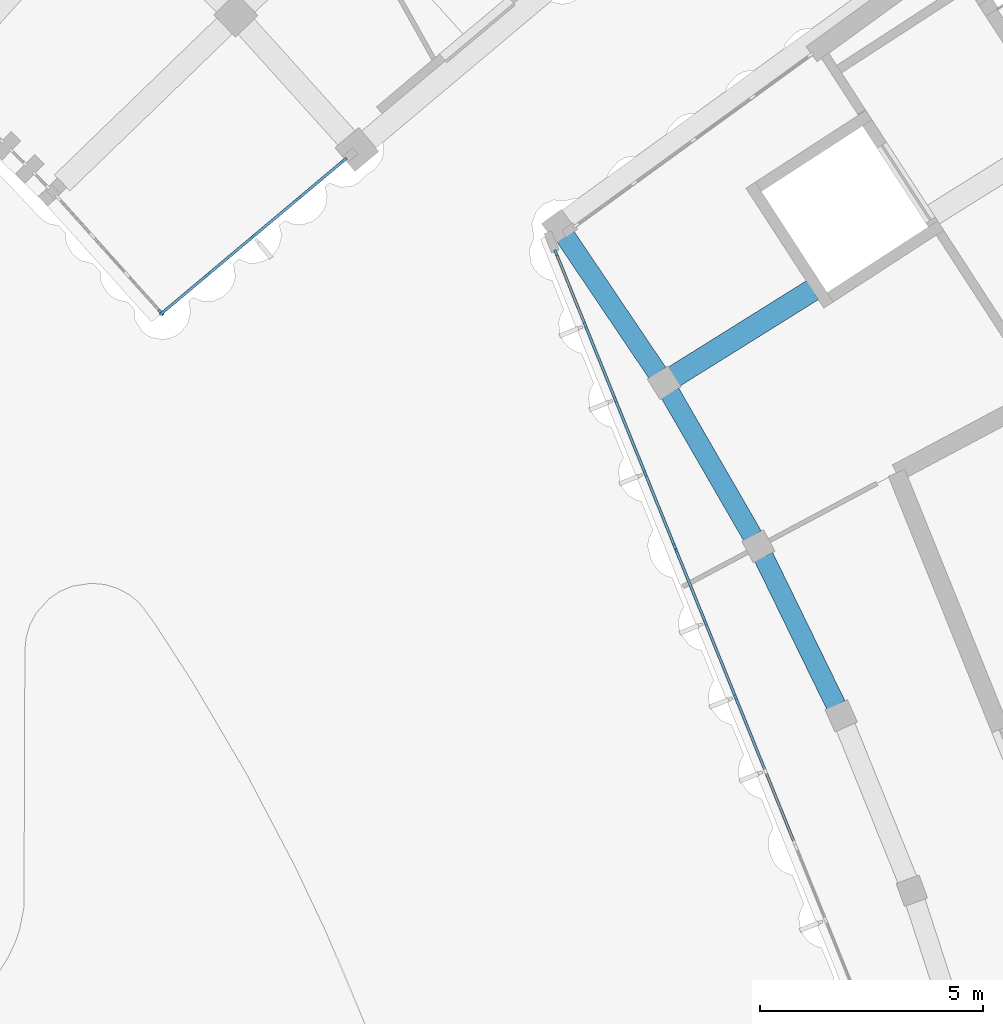
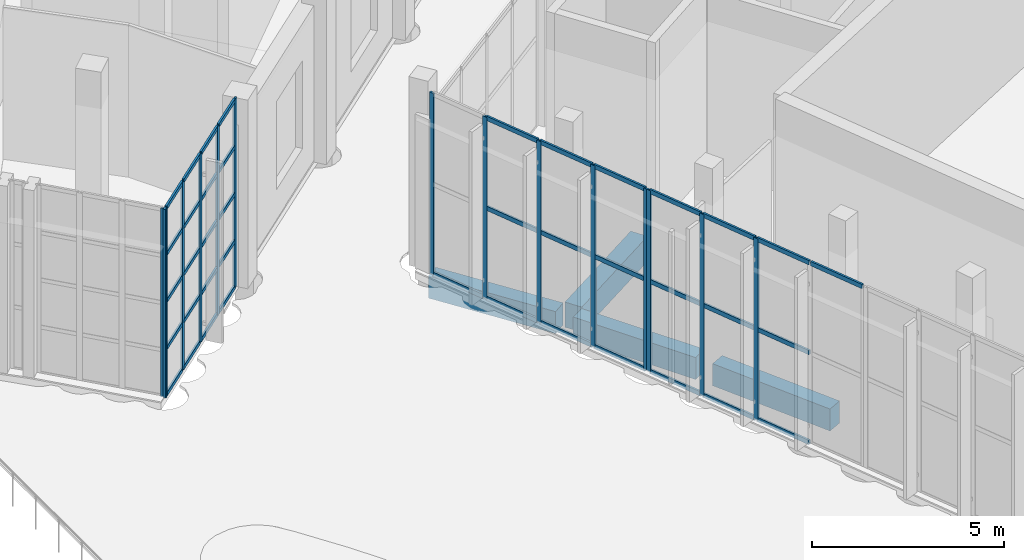
# One storey, part 50 of 155: 54 members, 4 beams, 4 elements without a shape of their own.
"""IFC4 building model written with IfcOpenShell, lengths in metres."""

from ifc_helpers import new_model, si_unit, direction, frame, origin, origin_2d, place, context, subcontext, project, spatial, rectangle, extrude, material, layer, layer_set, material_profile, profile_set, type_object, element, aggregate, save


model = new_model("IFC4")

# Units and contexts
model_context = context("Model", 3, precision=1e-05, world=origin(), true_north=direction((0.0, 1.0)))
body_context = subcontext(model_context, "Body", "Model", "MODEL_VIEW")
ifc_project = project(units=[si_unit("LENGTHUNIT", "METRE"), si_unit("AREAUNIT", "SQUARE_METRE"), si_unit("VOLUMEUNIT", "CUBIC_METRE"), si_unit("PLANEANGLEUNIT", "RADIAN"), si_unit("MASSUNIT", "GRAM", prefix="KILO")], contexts=[model_context])

# Site, building, storey
site_placement = place(None, origin())
site = spatial("IfcSite", under=ifc_project, at=site_placement, CompositionType="ELEMENT")
building_placement = place(site_placement, origin())
building = spatial("IfcBuilding", under=site, at=building_placement, Name="Lunette Opera House", CompositionType="ELEMENT")
storey_placement = place(building_placement, origin())
storey = spatial("IfcBuildingStorey", under=building, at=storey_placement, Name="L00", CompositionType="ELEMENT", Elevation=0.0)

# Curtain wall, members
ifc_material_1 = material(Name="Aluminium", Category="aluminium")
ifc_layer_1 = layer(ifc_material_1, 0.139892578125)
ifc_layer_set_1 = layer_set([ifc_layer_1], Name="Aluminium")
curtain_wall_type_1 = type_object("IfcCurtainWallType", Name="STUDIO CURTAIN WALL", PredefinedType="NOTDEFINED", material=ifc_layer_set_1)
curtain_wall_1_placement = place(storey_placement, origin())
curtain_wall_1 = element("IfcCurtainWall", 1, at=curtain_wall_1_placement, inside=storey, type_object=curtain_wall_type_1, Name="Studio Curtain Wall F01 L00", PredefinedType="NOTDEFINED")
ifc_material_2 = material(Name="Aluminium", Category="aluminium")
ifc_material_profile_1 = material_profile(ifc_material_2, rectangle(XDim=0.06005859375, YDim=0.139892578125, at=origin_2d()), Name="MULLION 60 X 140")
ifc_profile_set_1 = profile_set([ifc_material_profile_1], Name="Aluminium")
member_type_1 = type_object("IfcMemberType", Name="MULLION 60 X 140", PredefinedType="MULLION", material=ifc_profile_set_1)
member_1_placement = place(storey_placement, frame((144.88720703125, 34.97119140625, 0.0), z_axis=(0.0, 0.0, 1.0), x_axis=(0.927167994967, 0.37464584491, 0.0)))
member_1 = element("IfcMember", 2, at=member_1_placement, type_object=member_type_1, Name="SB-X2001 mullion 1", PredefinedType="MULLION", context=body_context, shape_type="SweptSolid", body=[
    extrude(rectangle(XDim=0.06005859375, YDim=0.139892578125, at=origin_2d()), origin(), (0.0, 0.0, 1.0), 5.780029296875),
])
member_2_placement = place(storey_placement, frame((145.545166015625, 33.3427734375, 0.0), z_axis=(0.0, 0.0, 1.0), x_axis=(0.927167994967, 0.37464584491, 0.0)))
member_2 = element("IfcMember", 3, at=member_2_placement, type_object=member_type_1, Name="SB-X2001 mullion 2", PredefinedType="MULLION", context=body_context, shape_type="SweptSolid", body=[
    extrude(rectangle(XDim=0.06005859375, YDim=0.139892578125, at=origin_2d()), origin(), (0.0, 0.0, 1.0), 5.780029296875),
])
member_3_placement = place(storey_placement, frame((146.214599609375, 31.6865234375, 0.0), z_axis=(0.0, 0.0, 1.0), x_axis=(0.927167994967, 0.37464584491, 0.0)))
member_3 = element("IfcMember", 4, at=member_3_placement, type_object=member_type_1, Name="SB-X2001 mullion 3", PredefinedType="MULLION", context=body_context, shape_type="SweptSolid", body=[
    extrude(rectangle(XDim=0.06005859375, YDim=0.139892578125, at=origin_2d()), origin(), (0.0, 0.0, 1.0), 5.780029296875),
])
member_4_placement = place(storey_placement, frame((146.8837890625, 30.0302734375, 0.0), z_axis=(0.0, 0.0, 1.0), x_axis=(0.927167994967, 0.37464584491, 0.0)))
member_4 = element("IfcMember", 5, at=member_4_placement, type_object=member_type_1, Name="SB-X2001 mullion 4", PredefinedType="MULLION", context=body_context, shape_type="SweptSolid", body=[
    extrude(rectangle(XDim=0.06005859375, YDim=0.139892578125, at=origin_2d()), origin(), (0.0, 0.0, 1.0), 5.780029296875),
])
member_5_placement = place(storey_placement, frame((147.541748046875, 28.40185546875, 0.0), z_axis=(0.0, 0.0, 1.0), x_axis=(0.927167994967, 0.37464584491, 0.0)))
member_5 = element("IfcMember", 6, at=member_5_placement, type_object=member_type_1, Name="SB-X2001 mullion 5", PredefinedType="MULLION", context=body_context, shape_type="SweptSolid", body=[
    extrude(rectangle(XDim=0.06005859375, YDim=0.139892578125, at=origin_2d()), origin(), (0.0, 0.0, 1.0), 5.780029296875),
])

curtain_wall_2_placement = place(storey_placement, origin())
curtain_wall_2 = element("IfcCurtainWall", 7, at=curtain_wall_2_placement, inside=storey, type_object=curtain_wall_type_1, Name="Studio Curtain Wall F02 L00", PredefinedType="NOTDEFINED")
member_6_placement = place(storey_placement, frame((147.5751953125, 28.318115234375, 0.0), z_axis=(0.0, 0.0, 1.0), x_axis=(0.927187634441, 0.374597237762, 0.0)))
member_6 = element("IfcMember", 8, at=member_6_placement, type_object=member_type_1, Name="SB-X2002 mullion 1", PredefinedType="MULLION", context=body_context, shape_type="SweptSolid", body=[
    extrude(rectangle(XDim=0.06005859375, YDim=0.139892578125, at=origin_2d()), origin(), (0.0, 0.0, 1.0), 5.780029296875),
])
member_7_placement = place(storey_placement, frame((148.233154296875, 26.689453125, 0.0), z_axis=(0.0, 0.0, 1.0), x_axis=(0.927187634441, 0.374597237762, 0.0)))
member_7 = element("IfcMember", 9, at=member_7_placement, type_object=member_type_1, Name="SB-X2002 mullion 2", PredefinedType="MULLION", context=body_context, shape_type="SweptSolid", body=[
    extrude(rectangle(XDim=0.06005859375, YDim=0.139892578125, at=origin_2d()), origin(), (0.0, 0.0, 1.0), 5.780029296875),
])
member_8_placement = place(storey_placement, frame((148.902587890625, 25.032958984375, 0.0), z_axis=(0.0, 0.0, 1.0), x_axis=(0.927187634441, 0.374597237762, 0.0)))
member_8 = element("IfcMember", 10, at=member_8_placement, type_object=member_type_1, Name="SB-X2002 mullion 3", PredefinedType="MULLION", context=body_context, shape_type="SweptSolid", body=[
    extrude(rectangle(XDim=0.06005859375, YDim=0.139892578125, at=origin_2d()), origin(), (0.0, 0.0, 1.0), 5.780029296875),
])

# Curtain wall, member
ifc_material_3 = material(Name="Aluminium", Category="aluminium")
ifc_layer_2 = layer(ifc_material_3, 0.159912109375)
ifc_layer_set_2 = layer_set([ifc_layer_2], Name="Aluminium")
curtain_wall_type_2 = type_object("IfcCurtainWallType", Name="CORNER CURTAIN WALL", PredefinedType="NOTDEFINED", material=ifc_layer_set_2)
curtain_wall_3_placement = place(storey_placement, origin())
curtain_wall_3 = element("IfcCurtainWall", 11, at=curtain_wall_3_placement, inside=storey, type_object=curtain_wall_type_2, Name="Corner Curtain Wall GC-E1 L00", PredefinedType="NOTDEFINED")
ifc_material_4 = material(Name="Aluminium", Category="aluminium")
ifc_material_profile_2 = material_profile(ifc_material_4, rectangle(XDim=0.06005859375, YDim=0.159912109375, at=origin_2d()), Name="MULLION 60 X 160")
ifc_profile_set_2 = profile_set([ifc_material_profile_2], Name="Aluminium")
member_type_2 = type_object("IfcMemberType", Name="MULLION 60 X 160", PredefinedType="MULLION", material=ifc_profile_set_2)
member_9_placement = place(storey_placement, frame((136.0439453125, 33.640380859375, 0.0), z_axis=(0.0, 0.0, 1.0), x_axis=(0.744216793887, 0.667938143615, 0.0)))
member_9 = element("IfcMember", 12, at=member_9_placement, type_object=member_type_2, Name="FC-X2171 mullion 4", PredefinedType="MULLION", context=body_context, shape_type="SweptSolid", body=[
    extrude(rectangle(XDim=0.06005859375, YDim=0.159912109375, at=origin_2d()), origin(), (0.0, 0.0, 1.0), 6.0),
])
aggregate(curtain_wall_3, [member_9])

# Curtain wall, members
curtain_wall_4_placement = place(storey_placement, origin())
curtain_wall_4 = element("IfcCurtainWall", 13, at=curtain_wall_4_placement, inside=storey, type_object=curtain_wall_type_2, Name="Corner Curtain Wall GC-E2 L00", PredefinedType="NOTDEFINED")
member_10_placement = place(storey_placement, frame((136.0869140625, 33.63720703125, 0.0), z_axis=(0.0, 0.0, 1.0), x_axis=(-0.64282816277, 0.766010413212, 0.0)))
member_10 = element("IfcMember", 14, at=member_10_placement, type_object=member_type_2, Name="FC-X2172 mullion 1", PredefinedType="MULLION", context=body_context, shape_type="SweptSolid", body=[
    extrude(rectangle(XDim=0.06005859375, YDim=0.159912109375, at=origin_2d()), origin(), (0.0, 0.0, 1.0), 6.0),
])
member_11_placement = place(storey_placement, frame((137.08837890625, 34.477783203125, 0.0), z_axis=(0.0, 0.0, 1.0), x_axis=(-0.64282816277, 0.766010413212, 0.0)))
member_11 = element("IfcMember", 15, at=member_11_placement, type_object=member_type_2, Name="FC-X2172 mullion 2", PredefinedType="MULLION", context=body_context, shape_type="SweptSolid", body=[
    extrude(rectangle(XDim=0.06005859375, YDim=0.159912109375, at=origin_2d()), origin(), (0.0, 0.0, 1.0), 6.0),
])
member_12_placement = place(storey_placement, frame((138.113037109375, 35.33740234375, 0.0), z_axis=(0.0, 0.0, 1.0), x_axis=(-0.64282816277, 0.766010413212, 0.0)))
member_12 = element("IfcMember", 16, at=member_12_placement, type_object=member_type_2, Name="FC-X2172 mullion 3", PredefinedType="MULLION", context=body_context, shape_type="SweptSolid", body=[
    extrude(rectangle(XDim=0.06005859375, YDim=0.159912109375, at=origin_2d()), origin(), (0.0, 0.0, 1.0), 6.0),
])
member_13_placement = place(storey_placement, frame((139.137451171875, 36.197265625, 0.0), z_axis=(0.0, 0.0, 1.0), x_axis=(-0.64282816277, 0.766010413212, 0.0)))
member_13 = element("IfcMember", 17, at=member_13_placement, type_object=member_type_2, Name="FC-X2172 mullion 4", PredefinedType="MULLION", context=body_context, shape_type="SweptSolid", body=[
    extrude(rectangle(XDim=0.06005859375, YDim=0.159912109375, at=origin_2d()), origin(), (0.0, 0.0, 1.0), 6.0),
])
member_14_placement = place(storey_placement, frame((140.138916015625, 37.03759765625, 0.0), z_axis=(0.0, 0.0, 1.0), x_axis=(-0.64282816277, 0.766010413212, 0.0)))
member_14 = element("IfcMember", 18, at=member_14_placement, type_object=member_type_2, Name="FC-X2172 mullion 5", PredefinedType="MULLION", context=body_context, shape_type="SweptSolid", body=[
    extrude(rectangle(XDim=0.06005859375, YDim=0.159912109375, at=origin_2d()), origin(), (0.0, 0.0, 1.0), 6.0),
])

# Beams
ifc_material_5 = material(Name="Concrete C35/45", Category="concrete")
ifc_material_profile_3 = material_profile(ifc_material_5, rectangle(XDim=0.449951171875, YDim=0.699951171875, at=origin_2d()), Name="RC BEAM 450X700")
ifc_profile_set_3 = profile_set([ifc_material_profile_3], Name="Concrete C35/45")
beam_type_1 = type_object("IfcBeamType", Name="RC BEAM 450X700", PredefinedType="BEAM", material=ifc_profile_set_3)
beam_1_placement = place(storey_placement, frame((145.093994140625, 35.341064453125, -0.570068359375), z_axis=(0.559238901912, -0.829006544358, 0.0), x_axis=(0.829006544358, 0.559238901912, 0.0)))
element("IfcBeam", 19, at=beam_1_placement, inside=storey, type_object=beam_type_1, Name="beam-SB-L00-L00-RG00", PredefinedType="BEAM", context=body_context, shape_type="SweptSolid", body=[
    extrude(rectangle(XDim=0.449951171875, YDim=0.699951171875, at=origin_2d()), origin(), (0.0, 0.0, 1.0), 3.6923828125),
])
beam_2_placement = place(storey_placement, frame((147.43896484375, 31.8310546875, -0.570068359375), z_axis=(0.50011347935, -0.865959876537, 0.0), x_axis=(0.865959876537, 0.50011347935, 0.0)))
element("IfcBeam", 20, at=beam_2_placement, inside=storey, type_object=beam_type_1, Name="beam-SB-L00-L00-RG01", PredefinedType="BEAM", context=body_context, shape_type="SweptSolid", body=[
    extrude(rectangle(XDim=0.449951171875, YDim=0.699951171875, at=origin_2d()), origin(), (0.0, 0.0, 1.0), 3.693115234375),
])
beam_3_placement = place(storey_placement, frame((149.533935546875, 28.1650390625, -0.570068359375), z_axis=(0.438439261918, -0.898760821136, 0.0), x_axis=(0.898760821136, 0.438439261918, 0.0)))
element("IfcBeam", 21, at=beam_3_placement, inside=storey, type_object=beam_type_1, Name="beam-SB-L00-L00-RG02", PredefinedType="BEAM", context=body_context, shape_type="SweptSolid", body=[
    extrude(rectangle(XDim=0.449951171875, YDim=0.699951171875, at=origin_2d()), origin(), (0.0, 0.0, 1.0), 3.69287109375),
])
ifc_material_6 = material(Name="Concrete C35/45", Category="concrete")
ifc_material_profile_4 = material_profile(ifc_material_6, rectangle(XDim=0.5, YDim=0.800048828125, at=origin_2d()), Name="RC BEAM 500X800")
ifc_profile_set_4 = profile_set([ifc_material_profile_4], Name="Concrete C35/45")
beam_type_2 = type_object("IfcBeamType", Name="RC BEAM 500X800", PredefinedType="BEAM", material=ifc_profile_set_4)
beam_4_placement = place(storey_placement, frame((147.531982421875, 32.200927734375, -0.6201171875), z_axis=(0.848110889275, 0.529818760986, 0.0), x_axis=(-0.529818760986, 0.848110889275, 0.0)))
element("IfcBeam", 22, at=beam_4_placement, inside=storey, type_object=beam_type_2, Name="beam-SB-L00-L00-RB01", PredefinedType="BEAM", context=body_context, shape_type="SweptSolid", body=[
    extrude(rectangle(XDim=0.5, YDim=0.800048828125, at=origin_2d()), origin(), (0.0, 0.0, 1.0), 3.654052734375),
])

# Member
ifc_material_7 = material(Name="Aluminium", Category="aluminium")
ifc_material_profile_5 = material_profile(ifc_material_7, rectangle(XDim=0.06005859375, YDim=0.1201171875, at=origin_2d()), Name="TRANSOM 60 X 120")
ifc_profile_set_5 = profile_set([ifc_material_profile_5], Name="Aluminium")
member_type_3 = type_object("IfcMemberType", Name="TRANSOM 60 X 120", PredefinedType="USERDEFINED", material=ifc_profile_set_5)
member_15_placement = place(storey_placement, frame((136.10986328125, 33.656494140625, 0.030029296875), z_axis=(0.765970812131, 0.642875349476, 0.0), x_axis=(-0.642875349476, 0.765970812131, 0.0)))
member_15 = element("IfcMember", 23, at=member_15_placement, type_object=member_type_3, Name="FC-X2172 transom 1.1", ObjectType="TRANSOM", PredefinedType="USERDEFINED", context=body_context, shape_type="SweptSolid", body=[
    extrude(rectangle(XDim=0.06005859375, YDim=0.1201171875, at=origin_2d()), origin(), (0.0, 0.0, 1.0), 1.24755859375),
])

member_16_placement = place(storey_placement, frame((136.10986328125, 33.656494140625, 1.5), z_axis=(0.765970812131, 0.642875349476, 0.0), x_axis=(-0.642875349476, 0.765970812131, 0.0)))
member_16 = element("IfcMember", 24, at=member_16_placement, type_object=member_type_3, Name="FC-X2172 transom 1.2", ObjectType="TRANSOM", PredefinedType="USERDEFINED", context=body_context, shape_type="SweptSolid", body=[
    extrude(rectangle(XDim=0.06005859375, YDim=0.1201171875, at=origin_2d()), origin(), (0.0, 0.0, 1.0), 1.24755859375),
])

member_17_placement = place(storey_placement, frame((136.10986328125, 33.656494140625, 3.0), z_axis=(0.765970812131, 0.642875349476, 0.0), x_axis=(-0.642875349476, 0.765970812131, 0.0)))
member_17 = element("IfcMember", 25, at=member_17_placement, type_object=member_type_3, Name="FC-X2172 transom 1.3", ObjectType="TRANSOM", PredefinedType="USERDEFINED", context=body_context, shape_type="SweptSolid", body=[
    extrude(rectangle(XDim=0.06005859375, YDim=0.1201171875, at=origin_2d()), origin(), (0.0, 0.0, 1.0), 1.24755859375),
])

member_18_placement = place(storey_placement, frame((136.10986328125, 33.656494140625, 4.5), z_axis=(0.765970812131, 0.642875349476, 0.0), x_axis=(-0.642875349476, 0.765970812131, 0.0)))
member_18 = element("IfcMember", 26, at=member_18_placement, type_object=member_type_3, Name="FC-X2172 transom 1.4", ObjectType="TRANSOM", PredefinedType="USERDEFINED", context=body_context, shape_type="SweptSolid", body=[
    extrude(rectangle(XDim=0.06005859375, YDim=0.1201171875, at=origin_2d()), origin(), (0.0, 0.0, 1.0), 1.24755859375),
])

member_19_placement = place(storey_placement, frame((136.10986328125, 33.656494140625, 5.969970703125), z_axis=(0.765970812131, 0.642875349476, 0.0), x_axis=(-0.642875349476, 0.765970812131, 0.0)))
member_19 = element("IfcMember", 27, at=member_19_placement, type_object=member_type_3, Name="FC-X2172 transom 1.5", ObjectType="TRANSOM", PredefinedType="USERDEFINED", context=body_context, shape_type="SweptSolid", body=[
    extrude(rectangle(XDim=0.06005859375, YDim=0.1201171875, at=origin_2d()), origin(), (0.0, 0.0, 1.0), 1.24755859375),
])

member_20_placement = place(storey_placement, frame((137.111572265625, 34.4970703125, 0.030029296875), z_axis=(0.766054919939, 0.642775123692, 0.0), x_axis=(-0.642775123692, 0.766054919939, 0.0)))
member_20 = element("IfcMember", 28, at=member_20_placement, type_object=member_type_3, Name="FC-X2172 transom 2.1", ObjectType="TRANSOM", PredefinedType="USERDEFINED", context=body_context, shape_type="SweptSolid", body=[
    extrude(rectangle(XDim=0.06005859375, YDim=0.1201171875, at=origin_2d()), origin(), (0.0, 0.0, 1.0), 1.27734375),
])

member_21_placement = place(storey_placement, frame((137.111572265625, 34.4970703125, 1.5), z_axis=(0.766054919939, 0.642775123692, 0.0), x_axis=(-0.642775123692, 0.766054919939, 0.0)))
member_21 = element("IfcMember", 29, at=member_21_placement, type_object=member_type_3, Name="FC-X2172 transom 2.2", ObjectType="TRANSOM", PredefinedType="USERDEFINED", context=body_context, shape_type="SweptSolid", body=[
    extrude(rectangle(XDim=0.06005859375, YDim=0.1201171875, at=origin_2d()), origin(), (0.0, 0.0, 1.0), 1.27734375),
])

member_22_placement = place(storey_placement, frame((137.111572265625, 34.4970703125, 3.0), z_axis=(0.766054919939, 0.642775123692, 0.0), x_axis=(-0.642775123692, 0.766054919939, 0.0)))
member_22 = element("IfcMember", 30, at=member_22_placement, type_object=member_type_3, Name="FC-X2172 transom 2.3", ObjectType="TRANSOM", PredefinedType="USERDEFINED", context=body_context, shape_type="SweptSolid", body=[
    extrude(rectangle(XDim=0.06005859375, YDim=0.1201171875, at=origin_2d()), origin(), (0.0, 0.0, 1.0), 1.27734375),
])

member_23_placement = place(storey_placement, frame((137.111572265625, 34.4970703125, 4.5), z_axis=(0.766054919939, 0.642775123692, 0.0), x_axis=(-0.642775123692, 0.766054919939, 0.0)))
member_23 = element("IfcMember", 31, at=member_23_placement, type_object=member_type_3, Name="FC-X2172 transom 2.4", ObjectType="TRANSOM", PredefinedType="USERDEFINED", context=body_context, shape_type="SweptSolid", body=[
    extrude(rectangle(XDim=0.06005859375, YDim=0.1201171875, at=origin_2d()), origin(), (0.0, 0.0, 1.0), 1.27734375),
])

member_24_placement = place(storey_placement, frame((137.111572265625, 34.4970703125, 5.969970703125), z_axis=(0.766054919939, 0.642775123692, 0.0), x_axis=(-0.642775123692, 0.766054919939, 0.0)))
member_24 = element("IfcMember", 32, at=member_24_placement, type_object=member_type_3, Name="FC-X2172 transom 2.5", ObjectType="TRANSOM", PredefinedType="USERDEFINED", context=body_context, shape_type="SweptSolid", body=[
    extrude(rectangle(XDim=0.06005859375, YDim=0.1201171875, at=origin_2d()), origin(), (0.0, 0.0, 1.0), 1.27734375),
])

member_25_placement = place(storey_placement, frame((138.135986328125, 35.356689453125, 0.030029296875), z_axis=(0.765960809958, 0.642887266641, 0.0), x_axis=(-0.642887266641, 0.765960809958, 0.0)))
member_25 = element("IfcMember", 33, at=member_25_placement, type_object=member_type_3, Name="FC-X2172 transom 3.1", ObjectType="TRANSOM", PredefinedType="USERDEFINED", context=body_context, shape_type="SweptSolid", body=[
    extrude(rectangle(XDim=0.06005859375, YDim=0.1201171875, at=origin_2d()), origin(), (0.0, 0.0, 1.0), 1.277587890625),
])

member_26_placement = place(storey_placement, frame((138.135986328125, 35.356689453125, 1.5), z_axis=(0.765960809958, 0.642887266641, 0.0), x_axis=(-0.642887266641, 0.765960809958, 0.0)))
member_26 = element("IfcMember", 34, at=member_26_placement, type_object=member_type_3, Name="FC-X2172 transom 3.2", ObjectType="TRANSOM", PredefinedType="USERDEFINED", context=body_context, shape_type="SweptSolid", body=[
    extrude(rectangle(XDim=0.06005859375, YDim=0.1201171875, at=origin_2d()), origin(), (0.0, 0.0, 1.0), 1.277587890625),
])

member_27_placement = place(storey_placement, frame((138.135986328125, 35.356689453125, 3.0), z_axis=(0.765960809958, 0.642887266641, 0.0), x_axis=(-0.642887266641, 0.765960809958, 0.0)))
member_27 = element("IfcMember", 35, at=member_27_placement, type_object=member_type_3, Name="FC-X2172 transom 3.3", ObjectType="TRANSOM", PredefinedType="USERDEFINED", context=body_context, shape_type="SweptSolid", body=[
    extrude(rectangle(XDim=0.06005859375, YDim=0.1201171875, at=origin_2d()), origin(), (0.0, 0.0, 1.0), 1.277587890625),
])

member_28_placement = place(storey_placement, frame((138.135986328125, 35.356689453125, 4.5), z_axis=(0.765960809958, 0.642887266641, 0.0), x_axis=(-0.642887266641, 0.765960809958, 0.0)))
member_28 = element("IfcMember", 36, at=member_28_placement, type_object=member_type_3, Name="FC-X2172 transom 3.4", ObjectType="TRANSOM", PredefinedType="USERDEFINED", context=body_context, shape_type="SweptSolid", body=[
    extrude(rectangle(XDim=0.06005859375, YDim=0.1201171875, at=origin_2d()), origin(), (0.0, 0.0, 1.0), 1.277587890625),
])

member_29_placement = place(storey_placement, frame((138.135986328125, 35.356689453125, 5.969970703125), z_axis=(0.765960809958, 0.642887266641, 0.0), x_axis=(-0.642887266641, 0.765960809958, 0.0)))
member_29 = element("IfcMember", 37, at=member_29_placement, type_object=member_type_3, Name="FC-X2172 transom 3.5", ObjectType="TRANSOM", PredefinedType="USERDEFINED", context=body_context, shape_type="SweptSolid", body=[
    extrude(rectangle(XDim=0.06005859375, YDim=0.1201171875, at=origin_2d()), origin(), (0.0, 0.0, 1.0), 1.277587890625),
])

member_30_placement = place(storey_placement, frame((139.160400390625, 36.216552734375, 0.030029296875), z_axis=(0.766067183103, 0.642760508255, 0.0), x_axis=(-0.642760508255, 0.766067183103, 0.0)))
member_30 = element("IfcMember", 38, at=member_30_placement, type_object=member_type_3, Name="FC-X2172 transom 4.1", ObjectType="TRANSOM", PredefinedType="USERDEFINED", context=body_context, shape_type="SweptSolid", body=[
    extrude(rectangle(XDim=0.06005859375, YDim=0.1201171875, at=origin_2d()), origin(), (0.0, 0.0, 1.0), 1.247314453125),
])

member_31_placement = place(storey_placement, frame((139.160400390625, 36.216552734375, 1.5), z_axis=(0.766067183103, 0.642760508255, 0.0), x_axis=(-0.642760508255, 0.766067183103, 0.0)))
member_31 = element("IfcMember", 39, at=member_31_placement, type_object=member_type_3, Name="FC-X2172 transom 4.2", ObjectType="TRANSOM", PredefinedType="USERDEFINED", context=body_context, shape_type="SweptSolid", body=[
    extrude(rectangle(XDim=0.06005859375, YDim=0.1201171875, at=origin_2d()), origin(), (0.0, 0.0, 1.0), 1.247314453125),
])

member_32_placement = place(storey_placement, frame((139.160400390625, 36.216552734375, 3.0), z_axis=(0.766067183103, 0.642760508255, 0.0), x_axis=(-0.642760508255, 0.766067183103, 0.0)))
member_32 = element("IfcMember", 40, at=member_32_placement, type_object=member_type_3, Name="FC-X2172 transom 4.3", ObjectType="TRANSOM", PredefinedType="USERDEFINED", context=body_context, shape_type="SweptSolid", body=[
    extrude(rectangle(XDim=0.06005859375, YDim=0.1201171875, at=origin_2d()), origin(), (0.0, 0.0, 1.0), 1.247314453125),
])

member_33_placement = place(storey_placement, frame((139.160400390625, 36.216552734375, 4.5), z_axis=(0.766067183103, 0.642760508255, 0.0), x_axis=(-0.642760508255, 0.766067183103, 0.0)))
member_33 = element("IfcMember", 41, at=member_33_placement, type_object=member_type_3, Name="FC-X2172 transom 4.4", ObjectType="TRANSOM", PredefinedType="USERDEFINED", context=body_context, shape_type="SweptSolid", body=[
    extrude(rectangle(XDim=0.06005859375, YDim=0.1201171875, at=origin_2d()), origin(), (0.0, 0.0, 1.0), 1.247314453125),
])

member_34_placement = place(storey_placement, frame((139.160400390625, 36.216552734375, 5.969970703125), z_axis=(0.766067183103, 0.642760508255, 0.0), x_axis=(-0.642760508255, 0.766067183103, 0.0)))
member_34 = element("IfcMember", 42, at=member_34_placement, type_object=member_type_3, Name="FC-X2172 transom 4.5", ObjectType="TRANSOM", PredefinedType="USERDEFINED", context=body_context, shape_type="SweptSolid", body=[
    extrude(rectangle(XDim=0.06005859375, YDim=0.1201171875, at=origin_2d()), origin(), (0.0, 0.0, 1.0), 1.247314453125),
])

aggregate(curtain_wall_4, [member_10, member_11, member_12, member_13, member_14, member_15, member_16, member_17, member_18, member_19, member_20, member_21, member_22, member_23, member_24, member_25, member_26, member_27, member_28, member_29, member_30, member_31, member_32, member_33, member_34])

ifc_material_8 = material(Name="Aluminium", Category="aluminium")
ifc_material_profile_6 = material_profile(ifc_material_8, rectangle(XDim=0.06005859375, YDim=0.139892578125, at=origin_2d()), Name="TRANSOM 60 X 140")
ifc_profile_set_6 = profile_set([ifc_material_profile_6], Name="Aluminium")
member_type_4 = type_object("IfcMemberType", Name="TRANSOM 60 X 140", PredefinedType="USERDEFINED", material=ifc_profile_set_6)
member_35_placement = place(storey_placement, frame((144.8984375, 34.943359375, 0.030029296875), z_axis=(0.374639140431, -0.927170704055, 0.0), x_axis=(0.927170704055, 0.374639140431, 0.0)))
member_35 = element("IfcMember", 43, at=member_35_placement, type_object=member_type_4, Name="SB-X2001 transom 1.1", ObjectType="TRANSOM", PredefinedType="USERDEFINED", context=body_context, shape_type="SweptSolid", body=[
    extrude(rectangle(XDim=0.06005859375, YDim=0.139892578125, at=origin_2d()), origin(), (0.0, 0.0, 1.0), 1.6962890625),
])

member_36_placement = place(storey_placement, frame((145.556396484375, 33.31494140625, 0.030029296875), z_axis=(0.374752968259, -0.92712470185, 0.0), x_axis=(0.92712470185, 0.374752968259, 0.0)))
member_36 = element("IfcMember", 44, at=member_36_placement, type_object=member_type_4, Name="SB-X2001 transom 2.1", ObjectType="TRANSOM", PredefinedType="USERDEFINED", context=body_context, shape_type="SweptSolid", body=[
    extrude(rectangle(XDim=0.06005859375, YDim=0.139892578125, at=origin_2d()), origin(), (0.0, 0.0, 1.0), 1.726318359375),
])

member_37_placement = place(storey_placement, frame((145.556396484375, 33.31494140625, 2.889892578125), z_axis=(0.374752968259, -0.92712470185, 0.0), x_axis=(0.92712470185, 0.374752968259, 0.0)))
member_37 = element("IfcMember", 45, at=member_37_placement, type_object=member_type_4, Name="SB-X2001 transom 2.2", ObjectType="TRANSOM", PredefinedType="USERDEFINED", context=body_context, shape_type="SweptSolid", body=[
    extrude(rectangle(XDim=0.06005859375, YDim=0.139892578125, at=origin_2d()), origin(), (0.0, 0.0, 1.0), 1.726318359375),
])

member_38_placement = place(storey_placement, frame((145.556396484375, 33.31494140625, 5.75), z_axis=(0.374752968259, -0.92712470185, 0.0), x_axis=(0.92712470185, 0.374752968259, 0.0)))
member_38 = element("IfcMember", 46, at=member_38_placement, type_object=member_type_4, Name="SB-X2001 transom 2.3", ObjectType="TRANSOM", PredefinedType="USERDEFINED", context=body_context, shape_type="SweptSolid", body=[
    extrude(rectangle(XDim=0.06005859375, YDim=0.139892578125, at=origin_2d()), origin(), (0.0, 0.0, 1.0), 1.726318359375),
])

member_39_placement = place(storey_placement, frame((146.225830078125, 31.65869140625, 0.030029296875), z_axis=(0.374631402845, -0.927173830521, 0.0), x_axis=(0.927173830521, 0.374631402845, 0.0)))
member_39 = element("IfcMember", 47, at=member_39_placement, type_object=member_type_4, Name="SB-X2001 transom 3.1", ObjectType="TRANSOM", PredefinedType="USERDEFINED", context=body_context, shape_type="SweptSolid", body=[
    extrude(rectangle(XDim=0.06005859375, YDim=0.139892578125, at=origin_2d()), origin(), (0.0, 0.0, 1.0), 1.726318359375),
])

member_40_placement = place(storey_placement, frame((146.225830078125, 31.65869140625, 2.889892578125), z_axis=(0.374631402845, -0.927173830521, 0.0), x_axis=(0.927173830521, 0.374631402845, 0.0)))
member_40 = element("IfcMember", 48, at=member_40_placement, type_object=member_type_4, Name="SB-X2001 transom 3.2", ObjectType="TRANSOM", PredefinedType="USERDEFINED", context=body_context, shape_type="SweptSolid", body=[
    extrude(rectangle(XDim=0.06005859375, YDim=0.139892578125, at=origin_2d()), origin(), (0.0, 0.0, 1.0), 1.726318359375),
])

member_41_placement = place(storey_placement, frame((146.225830078125, 31.65869140625, 5.75), z_axis=(0.374631402845, -0.927173830521, 0.0), x_axis=(0.927173830521, 0.374631402845, 0.0)))
member_41 = element("IfcMember", 49, at=member_41_placement, type_object=member_type_4, Name="SB-X2001 transom 3.3", ObjectType="TRANSOM", PredefinedType="USERDEFINED", context=body_context, shape_type="SweptSolid", body=[
    extrude(rectangle(XDim=0.06005859375, YDim=0.139892578125, at=origin_2d()), origin(), (0.0, 0.0, 1.0), 1.726318359375),
])

member_42_placement = place(storey_placement, frame((146.89501953125, 30.00244140625, 0.030029296875), z_axis=(0.374639140431, -0.927170704055, 0.0), x_axis=(0.927170704055, 0.374639140431, 0.0)))
member_42 = element("IfcMember", 50, at=member_42_placement, type_object=member_type_4, Name="SB-X2001 transom 4.1", ObjectType="TRANSOM", PredefinedType="USERDEFINED", context=body_context, shape_type="SweptSolid", body=[
    extrude(rectangle(XDim=0.06005859375, YDim=0.139892578125, at=origin_2d()), origin(), (0.0, 0.0, 1.0), 1.6962890625),
])

member_43_placement = place(storey_placement, frame((146.89501953125, 30.00244140625, 2.889892578125), z_axis=(0.374639140431, -0.927170704055, 0.0), x_axis=(0.927170704055, 0.374639140431, 0.0)))
member_43 = element("IfcMember", 51, at=member_43_placement, type_object=member_type_4, Name="SB-X2001 transom 4.2", ObjectType="TRANSOM", PredefinedType="USERDEFINED", context=body_context, shape_type="SweptSolid", body=[
    extrude(rectangle(XDim=0.06005859375, YDim=0.139892578125, at=origin_2d()), origin(), (0.0, 0.0, 1.0), 1.6962890625),
])

member_44_placement = place(storey_placement, frame((146.89501953125, 30.00244140625, 5.75), z_axis=(0.374639140431, -0.927170704055, 0.0), x_axis=(0.927170704055, 0.374639140431, 0.0)))
member_44 = element("IfcMember", 52, at=member_44_placement, type_object=member_type_4, Name="SB-X2001 transom 4.3", ObjectType="TRANSOM", PredefinedType="USERDEFINED", context=body_context, shape_type="SweptSolid", body=[
    extrude(rectangle(XDim=0.06005859375, YDim=0.139892578125, at=origin_2d()), origin(), (0.0, 0.0, 1.0), 1.6962890625),
])

aggregate(curtain_wall_1, [member_1, member_2, member_3, member_4, member_5, member_35, member_36, member_37, member_38, member_39, member_40, member_41, member_42, member_43, member_44])

member_45_placement = place(storey_placement, frame((147.58642578125, 28.290283203125, 0.030029296875), z_axis=(0.374589153254, -0.927190900659, 0.0), x_axis=(0.927190900659, 0.374589153254, 0.0)))
member_45 = element("IfcMember", 53, at=member_45_placement, type_object=member_type_4, Name="SB-X2002 transom 1.1", ObjectType="TRANSOM", PredefinedType="USERDEFINED", context=body_context, shape_type="SweptSolid", body=[
    extrude(rectangle(XDim=0.06005859375, YDim=0.139892578125, at=origin_2d()), origin(), (0.0, 0.0, 1.0), 1.696533203125),
])

member_46_placement = place(storey_placement, frame((147.58642578125, 28.290283203125, 2.889892578125), z_axis=(0.374589153254, -0.927190900659, 0.0), x_axis=(0.927190900659, 0.374589153254, 0.0)))
member_46 = element("IfcMember", 54, at=member_46_placement, type_object=member_type_4, Name="SB-X2002 transom 1.2", ObjectType="TRANSOM", PredefinedType="USERDEFINED", context=body_context, shape_type="SweptSolid", body=[
    extrude(rectangle(XDim=0.06005859375, YDim=0.139892578125, at=origin_2d()), origin(), (0.0, 0.0, 1.0), 1.696533203125),
])

member_47_placement = place(storey_placement, frame((147.58642578125, 28.290283203125, 5.75), z_axis=(0.374589153254, -0.927190900659, 0.0), x_axis=(0.927190900659, 0.374589153254, 0.0)))
member_47 = element("IfcMember", 55, at=member_47_placement, type_object=member_type_4, Name="SB-X2002 transom 1.3", ObjectType="TRANSOM", PredefinedType="USERDEFINED", context=body_context, shape_type="SweptSolid", body=[
    extrude(rectangle(XDim=0.06005859375, YDim=0.139892578125, at=origin_2d()), origin(), (0.0, 0.0, 1.0), 1.696533203125),
])

member_48_placement = place(storey_placement, frame((148.244384765625, 26.66162109375, 0.030029296875), z_axis=(0.374703840138, -0.927144558408, 0.0), x_axis=(0.927144558408, 0.374703840138, 0.0)))
member_48 = element("IfcMember", 56, at=member_48_placement, type_object=member_type_4, Name="SB-X2002 transom 2.1", ObjectType="TRANSOM", PredefinedType="USERDEFINED", context=body_context, shape_type="SweptSolid", body=[
    extrude(rectangle(XDim=0.06005859375, YDim=0.139892578125, at=origin_2d()), origin(), (0.0, 0.0, 1.0), 1.7265625),
])

member_49_placement = place(storey_placement, frame((148.244384765625, 26.66162109375, 2.889892578125), z_axis=(0.374703840138, -0.927144558408, 0.0), x_axis=(0.927144558408, 0.374703840138, 0.0)))
member_49 = element("IfcMember", 57, at=member_49_placement, type_object=member_type_4, Name="SB-X2002 transom 2.2", ObjectType="TRANSOM", PredefinedType="USERDEFINED", context=body_context, shape_type="SweptSolid", body=[
    extrude(rectangle(XDim=0.06005859375, YDim=0.139892578125, at=origin_2d()), origin(), (0.0, 0.0, 1.0), 1.7265625),
])

member_50_placement = place(storey_placement, frame((148.244384765625, 26.66162109375, 5.75), z_axis=(0.374703840138, -0.927144558408, 0.0), x_axis=(0.927144558408, 0.374703840138, 0.0)))
member_50 = element("IfcMember", 58, at=member_50_placement, type_object=member_type_4, Name="SB-X2002 transom 2.3", ObjectType="TRANSOM", PredefinedType="USERDEFINED", context=body_context, shape_type="SweptSolid", body=[
    extrude(rectangle(XDim=0.06005859375, YDim=0.139892578125, at=origin_2d()), origin(), (0.0, 0.0, 1.0), 1.7265625),
])

member_51_placement = place(storey_placement, frame((148.913818359375, 25.005126953125, 0.030029296875), z_axis=(0.374582285456, -0.927193675249, 0.0), x_axis=(0.927193675249, 0.374582285456, 0.0)))
member_51 = element("IfcMember", 59, at=member_51_placement, type_object=member_type_4, Name="SB-X2002 transom 3.1", ObjectType="TRANSOM", PredefinedType="USERDEFINED", context=body_context, shape_type="SweptSolid", body=[
    extrude(rectangle(XDim=0.06005859375, YDim=0.139892578125, at=origin_2d()), origin(), (0.0, 0.0, 1.0), 1.7265625),
])

member_52_placement = place(storey_placement, frame((148.913818359375, 25.005126953125, 2.889892578125), z_axis=(0.374582285456, -0.927193675249, 0.0), x_axis=(0.927193675249, 0.374582285456, 0.0)))
member_52 = element("IfcMember", 60, at=member_52_placement, type_object=member_type_4, Name="SB-X2002 transom 3.2", ObjectType="TRANSOM", PredefinedType="USERDEFINED", context=body_context, shape_type="SweptSolid", body=[
    extrude(rectangle(XDim=0.06005859375, YDim=0.139892578125, at=origin_2d()), origin(), (0.0, 0.0, 1.0), 1.7265625),
])

member_53_placement = place(storey_placement, frame((148.913818359375, 25.005126953125, 5.75), z_axis=(0.374582285456, -0.927193675249, 0.0), x_axis=(0.927193675249, 0.374582285456, 0.0)))
member_53 = element("IfcMember", 61, at=member_53_placement, type_object=member_type_4, Name="SB-X2002 transom 3.3", ObjectType="TRANSOM", PredefinedType="USERDEFINED", context=body_context, shape_type="SweptSolid", body=[
    extrude(rectangle(XDim=0.06005859375, YDim=0.139892578125, at=origin_2d()), origin(), (0.0, 0.0, 1.0), 1.7265625),
])

member_54_placement = place(storey_placement, frame((149.5830078125, 23.3486328125, 5.75), z_axis=(0.374589153254, -0.927190900659, 0.0), x_axis=(0.927190900659, 0.374589153254, 0.0)))
member_54 = element("IfcMember", 62, at=member_54_placement, type_object=member_type_4, Name="SB-X2002 transom 4.3", ObjectType="TRANSOM", PredefinedType="USERDEFINED", context=body_context, shape_type="SweptSolid", body=[
    extrude(rectangle(XDim=0.06005859375, YDim=0.139892578125, at=origin_2d()), origin(), (0.0, 0.0, 1.0), 1.696533203125),
])

aggregate(curtain_wall_2, [member_6, member_7, member_8, member_45, member_46, member_47, member_48, member_49, member_50, member_51, member_52, member_53, member_54])

save(model, "model.ifc")
